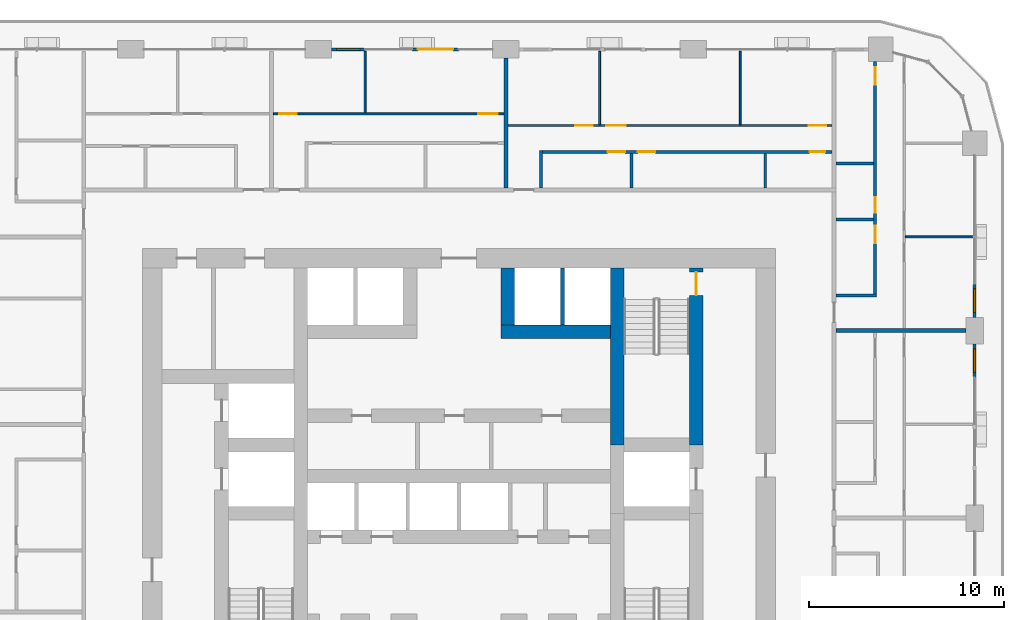
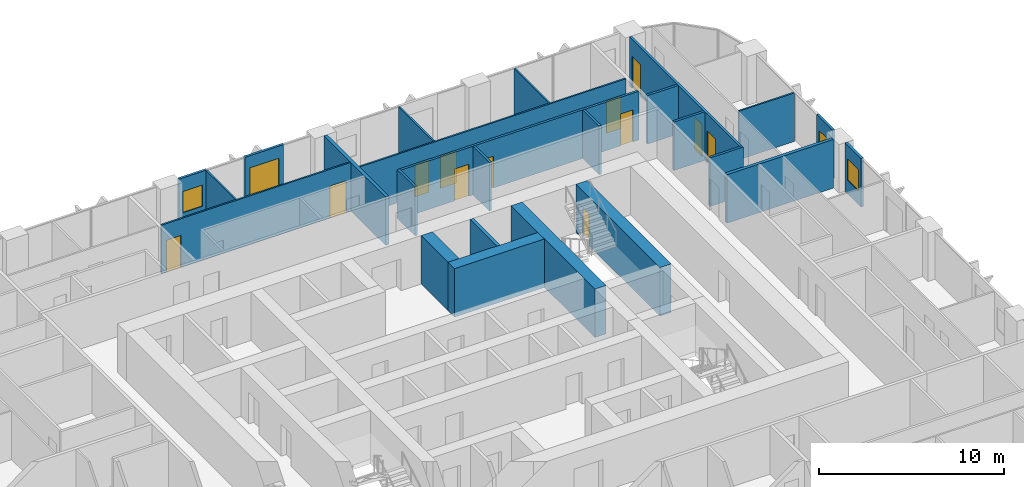
# One storey, part 14 of 21: 25 walls, 13 doors, 3 windows, 16 openings.
"""IFC4 building model written with IfcOpenShell, lengths in metres."""

from ifc_helpers import new_model, si_unit, direction, frame, frame_2d, origin, place, context, subcontext, project, spatial, rectangle, extrude, material, layer, layer_set, type_object, element, fill, save


model = new_model("IFC4")

# Units and contexts
model_context = context("Model", 3, precision=1e-05, world=origin(), true_north=direction((0.0, 1.0)))
body_context = subcontext(model_context, "Body", "Model", "MODEL_VIEW")
ifc_project = project(units=[si_unit("LENGTHUNIT", "METRE"), si_unit("AREAUNIT", "SQUARE_METRE"), si_unit("VOLUMEUNIT", "CUBIC_METRE"), si_unit("PLANEANGLEUNIT", "RADIAN"), si_unit("MASSUNIT", "GRAM", prefix="KILO")], contexts=[model_context])

# Site, building, storey
site_placement = place(None, origin())
site = spatial("IfcSite", under=ifc_project, at=site_placement, CompositionType="ELEMENT")
building_placement = place(site_placement, origin())
building = spatial("IfcBuilding", under=site, at=building_placement, Name="Madar Terraces", CompositionType="ELEMENT")
storey_placement = place(building_placement, frame((0.0, 0.0, 43.39990234375)))
storey = spatial("IfcBuildingStorey", under=building, at=storey_placement, Name="L10", CompositionType="ELEMENT", Elevation=43.39990234375)

# Wall
ifc_material_1 = material(Name="Concrete C80/95", Category="concrete")
ifc_layer_1 = layer(ifc_material_1, 0.699951171875)
ifc_layer_set_1 = layer_set([ifc_layer_1], Name="Concrete C80/95 (CIW1 RC wall 700)")
wall_type_1 = type_object("IfcWallType", Name="CIW1 RC wall 700", PredefinedType="SHEAR", material=ifc_layer_set_1)
wall_1_placement = place(storey_placement, frame((39.300048828125, 27.75, 0.0), z_axis=(0.0, 0.0, 1.0), x_axis=(0.0, 1.0, 0.0)))
element("IfcWall", 1, at=wall_1_placement, inside=storey, type_object=wall_type_1, Name="CORE SHAFT WALL", PredefinedType="SHEAR", context=body_context, shape_type="SweptSolid", body=[
    extrude(rectangle(XDim=9.050048828125, YDim=0.699951171875, at=frame_2d((4.52490234375, 0.0))), origin(), (0.0, 0.0, 1.0), 3.2001953125),
])

# Wall, opening, door
wall_2_placement = place(storey_placement, frame((43.35009765625, 27.75, 0.0), z_axis=(0.0, 0.0, 1.0), x_axis=(0.0, 1.0, 0.0)))
wall_2 = element("IfcWall", 2, at=wall_2_placement, inside=storey, type_object=wall_type_1, Name="CORE SHAFT WALL", PredefinedType="SHEAR", context=body_context, shape_type="SweptSolid", body=[
    extrude(rectangle(XDim=9.050048828125, YDim=0.699951171875, at=frame_2d((4.52490234375, 0.0))), origin(), (0.0, 0.0, 1.0), 3.2001953125),
])
opening_1_placement = place(wall_2_placement, frame((7.64990234375, 0.0, 0.0)))
opening_1 = element("IfcOpeningElement", 3, at=opening_1_placement, cuts=wall_2, Name="Opening SD1", PredefinedType="OPENING", context=body_context, shape_type="SweptSolid", body=[
    extrude(rectangle(XDim=1.199951171875, YDim=2.10009765625, at=frame_2d((0.60009765625, 1.050048828125))), frame((0.0, 0.35986328125, 0.0), z_axis=(0.0, -1.0, 0.0), x_axis=(1.0, 0.0, 0.0)), (0.0, 0.0, 1.0), 0.719970703125),
])
ifc_material_2 = material(Name="Steel door leaf", Category="steel")
door_type_1 = type_object("IfcDoorType", Name="Stair door 1200 x 2100", OperationType="NOTDEFINED", PredefinedType="DOOR", material=ifc_material_2)
door_1_placement = place(opening_1_placement, origin())
door_1 = element("IfcDoor", 4, at=door_1_placement, inside=storey, type_object=door_type_1, Name="STAIR DOOR", OperationType="SINGLE_SWING_RIGHT", OverallHeight=2.10009765625, OverallWidth=1.199951171875, PredefinedType="DOOR", context=body_context, shape_type="SweptSolid", body=[
    extrude(rectangle(XDim=1.199951171875, YDim=2.10009765625, at=frame_2d((0.60009765625, 1.050048828125))), frame((0.0, 0.02490234375, 0.0), z_axis=(0.0, -1.0, 0.0), x_axis=(1.0, 0.0, 0.0)), (0.0, 0.0, 1.0), 0.050048828125),
])
fill(opening_1, door_1)

# Walls
wall_3_placement = place(storey_placement, frame((33.35009765625, 33.550048828125, 0.0), z_axis=(0.0, 0.0, 1.0), x_axis=(1.0, 0.0, 0.0)))
element("IfcWall", 5, at=wall_3_placement, inside=storey, type_object=wall_type_1, Name="CORE SHAFT WALL", PredefinedType="SHEAR", context=body_context, shape_type="SweptSolid", body=[
    extrude(rectangle(XDim=5.599853515625, YDim=0.699951171875, at=frame_2d((2.7998046875, 0.0))), origin(), (0.0, 0.0, 1.0), 3.2001953125),
])
wall_4_placement = place(storey_placement, frame((33.699951171875, 33.89990234375, 0.0), z_axis=(0.0, 0.0, 1.0), x_axis=(0.0, 1.0, 0.0)))
element("IfcWall", 6, at=wall_4_placement, inside=storey, type_object=wall_type_1, Name="CORE SHAFT WALL", PredefinedType="SHEAR", context=body_context, shape_type="SweptSolid", body=[
    extrude(rectangle(XDim=2.900146484375, YDim=0.699951171875, at=frame_2d((1.4501953125, 0.0))), origin(), (0.0, 0.0, 1.0), 3.2001953125),
])
ifc_material_3 = material(Name="Concrete C40/50", Category="concrete")
ifc_layer_2 = layer(ifc_material_3, 0.199951171875)
ifc_layer_set_2 = layer_set([ifc_layer_2], Name="Core shaft dividing wall 200 C40/50")
wall_type_2 = type_object("IfcWallType", Name="Core shaft dividing wall 200 C40/50", PredefinedType="SOLIDWALL", material=ifc_layer_set_2)
wall_5_placement = place(storey_placement, frame((36.5, 33.89990234375, 0.0), z_axis=(0.0, 0.0, 1.0), x_axis=(0.0, 1.0, 0.0)))
element("IfcWall", 7, at=wall_5_placement, inside=storey, type_object=wall_type_2, Name="SHAFT DIVIDING WALL", PredefinedType="SOLIDWALL", context=body_context, shape_type="SweptSolid", body=[
    extrude(rectangle(XDim=2.900146484375, YDim=0.199951171875, at=frame_2d((1.4501953125, 0.0))), origin(), (0.0, 0.0, 1.0), 3.2001953125),
])

# Wall, opening, window
ifc_material_4 = material(Name="Aluminium composite panel, black, over insulated backing", Category="aluminium")
ifc_layer_3 = layer(ifc_material_4, 0.14990234375)
ifc_layer_set_3 = layer_set([ifc_layer_3], Name="Facade bay panel 150")
wall_type_3 = type_object("IfcWallType", Name="Facade bay panel 150", PredefinedType="SOLIDWALL", material=ifc_layer_set_3)
wall_6_placement = place(storey_placement, frame((57.60009765625, 31.199951171875, 0.0), z_axis=(0.0, 0.0, 1.0), x_axis=(0.0, 1.0, 0.0)))
wall_6 = element("IfcWall", 8, at=wall_6_placement, inside=storey, type_object=wall_type_3, Name="Facade bay panel", PredefinedType="SOLIDWALL", context=body_context, shape_type="SweptSolid", body=[
    extrude(rectangle(XDim=1.72509765625, YDim=0.14990234375, at=frame_2d((0.862548828125, 0.0))), origin(), (0.0, 0.0, 1.0), 3.2001953125),
])
opening_2_placement = place(wall_6_placement, frame((0.262451171875, 0.0, 0.89990234375)))
opening_2 = element("IfcOpeningElement", 9, at=opening_2_placement, cuts=wall_6, Name="Opening W1", PredefinedType="OPENING", context=body_context, shape_type="SweptSolid", body=[
    extrude(rectangle(XDim=1.199951171875, YDim=1.39990234375, at=frame_2d((0.60009765625, 0.699951171875))), frame((0.0, 0.0849609375, 0.0), z_axis=(0.0, -1.0, 0.0), x_axis=(1.0, 0.0, 0.0)), (0.0, 0.0, 1.0), 0.169921875),
])
ifc_material_5 = material(Name="Glass, clear, with black aluminium frame", Category="aluminium")
window_type = type_object("IfcWindowType", Name="Vent window 1200 x 1400", PartitioningType="SINGLE_PANEL", PredefinedType="WINDOW", material=ifc_material_5)
window_1_placement = place(opening_2_placement, origin())
window_1 = element("IfcWindow", 10, at=window_1_placement, inside=storey, type_object=window_type, Name="Operable vent window", OverallHeight=1.39990234375, OverallWidth=1.199951171875, PartitioningType="SINGLE_PANEL", PredefinedType="WINDOW", context=body_context, shape_type="SweptSolid", body=[
    extrude(rectangle(XDim=1.199951171875, YDim=1.39990234375, at=frame_2d((0.60009765625, 0.699951171875))), frame((0.0, 0.030029296875, 0.0), z_axis=(0.0, -1.0, 0.0), x_axis=(1.0, 0.0, 0.0)), (0.0, 0.0, 1.0), 0.06005859375),
])
fill(opening_2, window_1)

wall_7_placement = place(storey_placement, frame((57.60009765625, 34.27490234375, 0.0), z_axis=(0.0, 0.0, 1.0), x_axis=(0.0, 1.0, 0.0)))
wall_7 = element("IfcWall", 11, at=wall_7_placement, inside=storey, type_object=wall_type_3, Name="Facade bay panel", PredefinedType="SOLIDWALL", context=body_context, shape_type="SweptSolid", body=[
    extrude(rectangle(XDim=1.72509765625, YDim=0.14990234375, at=frame_2d((0.862548828125, 0.0))), origin(), (0.0, 0.0, 1.0), 3.2001953125),
])
opening_3_placement = place(wall_7_placement, frame((0.262451171875, 0.0, 0.89990234375)))
opening_3 = element("IfcOpeningElement", 12, at=opening_3_placement, cuts=wall_7, Name="Opening W1", PredefinedType="OPENING", context=body_context, shape_type="SweptSolid", body=[
    extrude(rectangle(XDim=1.199951171875, YDim=1.39990234375, at=frame_2d((0.60009765625, 0.699951171875))), frame((0.0, 0.0849609375, 0.0), z_axis=(0.0, -1.0, 0.0), x_axis=(1.0, 0.0, 0.0)), (0.0, 0.0, 1.0), 0.169921875),
])
window_2_placement = place(opening_3_placement, origin())
window_2 = element("IfcWindow", 13, at=window_2_placement, inside=storey, type_object=window_type, Name="Operable vent window", OverallHeight=1.39990234375, OverallWidth=1.199951171875, PartitioningType="SINGLE_PANEL", PredefinedType="WINDOW", context=body_context, shape_type="SweptSolid", body=[
    extrude(rectangle(XDim=1.199951171875, YDim=1.39990234375, at=frame_2d((0.60009765625, 0.699951171875))), frame((0.0, 0.030029296875, 0.0), z_axis=(0.0, -1.0, 0.0), x_axis=(1.0, 0.0, 0.0)), (0.0, 0.0, 1.0), 0.06005859375),
])
fill(opening_3, window_2)

# Wall, opening, door
wall_8_placement = place(storey_placement, frame((31.199951171875, 48.0, 0.0), z_axis=(0.0, 0.0, 1.0), x_axis=(-1.0, 0.0, 0.0)))
wall_8 = element("IfcWall", 14, at=wall_8_placement, inside=storey, type_object=wall_type_3, Name="Facade bay panel", PredefinedType="SOLIDWALL", context=body_context, shape_type="SweptSolid", body=[
    extrude(rectangle(XDim=2.39990234375, YDim=0.14990234375, at=frame_2d((1.199951171875, 0.0))), origin(), (0.0, 0.0, 1.0), 3.2001953125),
])
opening_4_placement = place(wall_8_placement, frame((0.300048828125, 0.0, 0.0)))
opening_4 = element("IfcOpeningElement", 15, at=opening_4_placement, cuts=wall_8, Name="Opening ED1", PredefinedType="OPENING", context=body_context, shape_type="SweptSolid", body=[
    extrude(rectangle(XDim=1.800048828125, YDim=2.39990234375, at=frame_2d((0.89990234375, 1.199951171875))), frame((0.0, 0.0849609375, 0.0), z_axis=(0.0, -1.0, 0.0), x_axis=(1.0, 0.0, 0.0)), (0.0, 0.0, 1.0), 0.169921875),
])
ifc_material_6 = material(Name="Glass, clear, with black aluminium frame", Category="aluminium")
door_type_2 = type_object("IfcDoorType", Name="Balcony and terrace sliding door 1800 x 2400", OperationType="SLIDING_TO_LEFT", PredefinedType="DOOR", material=ifc_material_6)
door_2_placement = place(opening_4_placement, origin())
door_2 = element("IfcDoor", 16, at=door_2_placement, inside=storey, type_object=door_type_2, Name="Balcony door", OperationType="SLIDING_TO_LEFT", OverallHeight=2.39990234375, OverallWidth=1.800048828125, PredefinedType="DOOR", context=body_context, shape_type="SweptSolid", body=[
    extrude(rectangle(XDim=1.800048828125, YDim=2.39990234375, at=frame_2d((0.89990234375, 1.199951171875))), frame((0.0, 0.02490234375, 0.0), z_axis=(0.0, -1.0, 0.0), x_axis=(1.0, 0.0, 0.0)), (0.0, 0.0, 1.0), 0.050048828125),
])
fill(opening_4, door_2)

# Wall, opening, window
wall_9_placement = place(storey_placement, frame((26.39990234375, 48.0, 0.0), z_axis=(0.0, 0.0, 1.0), x_axis=(-1.0, 0.0, 0.0)))
wall_9 = element("IfcWall", 17, at=wall_9_placement, inside=storey, type_object=wall_type_3, Name="Facade bay panel", PredefinedType="SOLIDWALL", context=body_context, shape_type="SweptSolid", body=[
    extrude(rectangle(XDim=1.724853515625, YDim=0.14990234375, at=frame_2d((0.8623046875, 0.0))), origin(), (0.0, 0.0, 1.0), 3.2001953125),
])
opening_5_placement = place(wall_9_placement, frame((0.262451171875, 0.0, 0.89990234375)))
opening_5 = element("IfcOpeningElement", 18, at=opening_5_placement, cuts=wall_9, Name="Opening W1", PredefinedType="OPENING", context=body_context, shape_type="SweptSolid", body=[
    extrude(rectangle(XDim=1.199951171875, YDim=1.39990234375, at=frame_2d((0.60009765625, 0.699951171875))), frame((0.0, 0.0849609375, 0.0), z_axis=(0.0, -1.0, 0.0), x_axis=(1.0, 0.0, 0.0)), (0.0, 0.0, 1.0), 0.169921875),
])
window_3_placement = place(opening_5_placement, origin())
window_3 = element("IfcWindow", 19, at=window_3_placement, inside=storey, type_object=window_type, Name="Operable vent window", OverallHeight=1.39990234375, OverallWidth=1.199951171875, PartitioningType="SINGLE_PANEL", PredefinedType="WINDOW", context=body_context, shape_type="SweptSolid", body=[
    extrude(rectangle(XDim=1.199951171875, YDim=1.39990234375, at=frame_2d((0.60009765625, 0.699951171875))), frame((0.0, 0.030029296875, 0.0), z_axis=(0.0, -1.0, 0.0), x_axis=(1.0, 0.0, 0.0)), (0.0, 0.0, 1.0), 0.06005859375),
])
fill(opening_5, window_3)

# Walls
ifc_material_7 = material(Name="Gypsum board on steel studs", Category="steel")
ifc_layer_4 = layer(ifc_material_7, 0.10009765625)
ifc_layer_set_4 = layer_set([ifc_layer_4], Name="Flat partition 100")
wall_type_4 = type_object("IfcWallType", Name="Flat partition 100", PredefinedType="PARTITIONING", material=ifc_layer_set_4)
wall_10_placement = place(storey_placement, frame((54.050048828125, 38.39990234375, 0.0), z_axis=(0.0, 0.0, 1.0), x_axis=(1.0, 0.0, 0.0)))
element("IfcWall", 20, at=wall_10_placement, inside=storey, type_object=wall_type_4, Name="Flat partition 100", PredefinedType="PARTITIONING", context=body_context, shape_type="SweptSolid", body=[
    extrude(rectangle(XDim=3.449951171875, YDim=0.10009765625, at=frame_2d((1.72509765625, 0.0))), origin(), (0.0, 0.0, 1.0), 3.2001953125),
])
for number, where, z_axis, x_axis, name in (
    (21, (38.39990234375, 44.14990234375, 0.0), (0.0, 0.0, 1.0), (0.0, 1.0, 0.0), "Flat partition 100"),
    (22, (45.60009765625, 44.14990234375, 0.0), (0.0, 0.0, 1.0), (0.0, 1.0, 0.0), "Flat partition 100"),
):
    element("IfcWall", number, at=place(storey_placement, frame(where, z_axis=z_axis, x_axis=x_axis)), inside=storey, type_object=wall_type_4, Name=name, PredefinedType="PARTITIONING", context=body_context, shape_type="SweptSolid", body=[
        extrude(rectangle(XDim=3.75, YDim=0.10009765625, at=frame_2d((1.875, 0.0))), origin(), (0.0, 0.0, 1.0), 3.2001953125),
    ])

# Wall, openings, doors
wall_11_placement = place(storey_placement, frame((33.699951171875, 44.10009765625, 0.0), z_axis=(0.0, 0.0, 1.0), x_axis=(1.0, 0.0, 0.0)))
wall_11 = element("IfcWall", 23, at=wall_11_placement, inside=storey, type_object=wall_type_4, Name="Flat partition 100", PredefinedType="PARTITIONING", context=body_context, shape_type="SweptSolid", body=[
    extrude(rectangle(XDim=16.60009765625, YDim=0.10009765625, at=frame_2d((8.300048828125, 0.0))), origin(), (0.0, 0.0, 1.0), 3.2001953125),
])
opening_6_placement = place(wall_11_placement, frame((3.449951171875, 0.0, 0.0)))
opening_6 = element("IfcOpeningElement", 24, at=opening_6_placement, cuts=wall_11, Name="Opening D2", PredefinedType="OPENING", context=body_context, shape_type="SweptSolid", body=[
    extrude(rectangle(XDim=0.89990234375, YDim=2.10009765625, at=frame_2d((0.449951171875, 1.050048828125))), frame((0.0, 0.06005859375, 0.0), z_axis=(0.0, -1.0, 0.0), x_axis=(1.0, 0.0, 0.0)), (0.0, 0.0, 1.0), 0.1201171875),
])
opening_7_placement = place(wall_11_placement, frame((5.050048828125, 0.0, 0.0)))
opening_7 = element("IfcOpeningElement", 25, at=opening_7_placement, cuts=wall_11, Name="Opening D3", PredefinedType="OPENING", context=body_context, shape_type="SweptSolid", body=[
    extrude(rectangle(XDim=1.0, YDim=2.10009765625, at=frame_2d((0.5, 1.050048828125))), frame((0.0, 0.06005859375, 0.0), z_axis=(0.0, -1.0, 0.0), x_axis=(1.0, 0.0, 0.0)), (0.0, 0.0, 1.0), 0.1201171875),
])
opening_8_placement = place(wall_11_placement, frame((15.39990234375, 0.0, 0.0)))
opening_8 = element("IfcOpeningElement", 26, at=opening_8_placement, cuts=wall_11, Name="Opening D2", PredefinedType="OPENING", context=body_context, shape_type="SweptSolid", body=[
    extrude(rectangle(XDim=0.89990234375, YDim=2.10009765625, at=frame_2d((0.449951171875, 1.050048828125))), frame((0.0, 0.06005859375, 0.0), z_axis=(0.0, -1.0, 0.0), x_axis=(1.0, 0.0, 0.0)), (0.0, 0.0, 1.0), 0.1201171875),
])
ifc_material_8 = material(Name="Timber door leaf", Category="wood")
door_type_3 = type_object("IfcDoorType", Name="Flat living room door 1000", OperationType="NOTDEFINED", PredefinedType="DOOR", material=ifc_material_8)
door_3_placement = place(opening_7_placement, origin())
door_3 = element("IfcDoor", 27, at=door_3_placement, inside=storey, type_object=door_type_3, Name="Flat living room door 1000", OperationType="SINGLE_SWING_LEFT", OverallHeight=2.10009765625, OverallWidth=1.0, PredefinedType="DOOR", context=body_context, shape_type="SweptSolid", body=[
    extrude(rectangle(XDim=1.0, YDim=2.10009765625, at=frame_2d((0.5, 1.050048828125))), frame((0.0, 0.02490234375, 0.0), z_axis=(0.0, -1.0, 0.0), x_axis=(1.0, 0.0, 0.0)), (0.0, 0.0, 1.0), 0.050048828125),
])
fill(opening_7, door_3)
ifc_material_9 = material(Name="Timber door leaf", Category="wood")
door_type_4 = type_object("IfcDoorType", Name="Flat room door 900", OperationType="NOTDEFINED", PredefinedType="DOOR", material=ifc_material_9)
door_4_placement = place(opening_6_placement, origin())
door_4 = element("IfcDoor", 28, at=door_4_placement, inside=storey, type_object=door_type_4, Name="Flat room door 900", OperationType="SINGLE_SWING_RIGHT", OverallHeight=2.10009765625, OverallWidth=0.89990234375, PredefinedType="DOOR", context=body_context, shape_type="SweptSolid", body=[
    extrude(rectangle(XDim=0.89990234375, YDim=2.10009765625, at=frame_2d((0.449951171875, 1.050048828125))), frame((0.0, 0.02490234375, 0.0), z_axis=(0.0, -1.0, 0.0), x_axis=(1.0, 0.0, 0.0)), (0.0, 0.0, 1.0), 0.050048828125),
])
fill(opening_6, door_4)
door_5_placement = place(opening_8_placement, origin())
door_5 = element("IfcDoor", 29, at=door_5_placement, inside=storey, type_object=door_type_4, Name="Flat room door 900", OperationType="SINGLE_SWING_RIGHT", OverallHeight=2.10009765625, OverallWidth=0.89990234375, PredefinedType="DOOR", context=body_context, shape_type="SweptSolid", body=[
    extrude(rectangle(XDim=0.89990234375, YDim=2.10009765625, at=frame_2d((0.449951171875, 1.050048828125))), frame((0.0, 0.02490234375, 0.0), z_axis=(0.0, -1.0, 0.0), x_axis=(1.0, 0.0, 0.0)), (0.0, 0.0, 1.0), 0.050048828125),
])
fill(opening_8, door_5)

# Wall
wall_12_placement = place(storey_placement, frame((26.39990234375, 44.75, 0.0), z_axis=(0.0, 0.0, 1.0), x_axis=(0.0, 1.0, 0.0)))
element("IfcWall", 30, at=wall_12_placement, inside=storey, type_object=wall_type_4, Name="Flat partition 100", PredefinedType="PARTITIONING", context=body_context, shape_type="SweptSolid", body=[
    extrude(rectangle(XDim=3.14990234375, YDim=0.10009765625, at=frame_2d((1.574951171875, 0.0))), origin(), (0.0, 0.0, 1.0), 3.2001953125),
])

# Wall, openings, doors
wall_13_placement = place(storey_placement, frame((21.699951171875, 44.699951171875, 0.0), z_axis=(0.0, 0.0, 1.0), x_axis=(1.0, 0.0, 0.0)))
wall_13 = element("IfcWall", 31, at=wall_13_placement, inside=storey, type_object=wall_type_4, Name="Flat partition 100", PredefinedType="PARTITIONING", context=body_context, shape_type="SweptSolid", body=[
    extrude(rectangle(XDim=11.800048828125, YDim=0.10009765625, at=frame_2d((5.89990234375, 0.0))), origin(), (0.0, 0.0, 1.0), 3.2001953125),
])
opening_9_placement = place(wall_13_placement, frame((0.300048828125, 0.0, 0.0)))
opening_9 = element("IfcOpeningElement", 32, at=opening_9_placement, cuts=wall_13, Name="Opening D2", PredefinedType="OPENING", context=body_context, shape_type="SweptSolid", body=[
    extrude(rectangle(XDim=0.89990234375, YDim=2.10009765625, at=frame_2d((0.449951171875, 1.050048828125))), frame((0.0, 0.06005859375, 0.0), z_axis=(0.0, -1.0, 0.0), x_axis=(1.0, 0.0, 0.0)), (0.0, 0.0, 1.0), 0.1201171875),
])
opening_10_placement = place(wall_13_placement, frame((10.5, 0.0, 0.0)))
opening_10 = element("IfcOpeningElement", 33, at=opening_10_placement, cuts=wall_13, Name="Opening D3", PredefinedType="OPENING", context=body_context, shape_type="SweptSolid", body=[
    extrude(rectangle(XDim=1.0, YDim=2.10009765625, at=frame_2d((0.5, 1.050048828125))), frame((0.0, 0.06005859375, 0.0), z_axis=(0.0, -1.0, 0.0), x_axis=(1.0, 0.0, 0.0)), (0.0, 0.0, 1.0), 0.1201171875),
])
door_6_placement = place(opening_10_placement, origin())
door_6 = element("IfcDoor", 34, at=door_6_placement, inside=storey, type_object=door_type_3, Name="Flat living room door 1000", OperationType="SINGLE_SWING_RIGHT", OverallHeight=2.10009765625, OverallWidth=1.0, PredefinedType="DOOR", context=body_context, shape_type="SweptSolid", body=[
    extrude(rectangle(XDim=1.0, YDim=2.10009765625, at=frame_2d((0.5, 1.050048828125))), frame((0.0, 0.02490234375, 0.0), z_axis=(0.0, -1.0, 0.0), x_axis=(1.0, 0.0, 0.0)), (0.0, 0.0, 1.0), 0.050048828125),
])
fill(opening_10, door_6)
door_7_placement = place(opening_9_placement, origin())
door_7 = element("IfcDoor", 35, at=door_7_placement, inside=storey, type_object=door_type_4, Name="Flat room door 900", OperationType="SINGLE_SWING_LEFT", OverallHeight=2.10009765625, OverallWidth=0.89990234375, PredefinedType="DOOR", context=body_context, shape_type="SweptSolid", body=[
    extrude(rectangle(XDim=0.89990234375, YDim=2.10009765625, at=frame_2d((0.449951171875, 1.050048828125))), frame((0.0, 0.02490234375, 0.0), z_axis=(0.0, -1.0, 0.0), x_axis=(1.0, 0.0, 0.0)), (0.0, 0.0, 1.0), 0.050048828125),
])
fill(opening_9, door_7)

# Walls
ifc_material_10 = material(Name="Lightweight blockwork", Category="masonry")
ifc_layer_5 = layer(ifc_material_10, 0.199951171875)
ifc_layer_set_5 = layer_set([ifc_layer_5], Name="Flat party and entrance wall 200")
wall_type_5 = type_object("IfcWallType", Name="Flat party and entrance wall 200", PredefinedType="PARTITIONING", material=ifc_layer_set_5)
wall_14_placement = place(storey_placement, frame((50.5, 33.60009765625, 0.0), z_axis=(0.0, 0.0, 1.0), x_axis=(1.0, 0.0, 0.0)))
element("IfcWall", 36, at=wall_14_placement, inside=storey, type_object=wall_type_5, Name="Flat party and entrance wall 200", PredefinedType="PARTITIONING", context=body_context, shape_type="SweptSolid", body=[
    extrude(rectangle(XDim=6.64990234375, YDim=0.199951171875, at=frame_2d((3.324951171875, 0.0))), origin(), (0.0, 0.0, 1.0), 3.2001953125),
])
wall_15_placement = place(storey_placement, frame((33.60009765625, 47.550048828125, 0.0), z_axis=(0.0, 0.0, 1.0), x_axis=(0.0, -1.0, 0.0)))
element("IfcWall", 37, at=wall_15_placement, inside=storey, type_object=wall_type_5, Name="Flat party and entrance wall 200", PredefinedType="PARTITIONING", context=body_context, shape_type="SweptSolid", body=[
    extrude(rectangle(XDim=6.650146484375, YDim=0.199951171875, at=frame_2d((3.3251953125, 0.0))), origin(), (0.0, 0.0, 1.0), 3.2001953125),
])
ifc_material_11 = material(Name="Lightweight blockwork", Category="masonry")
ifc_layer_6 = layer(ifc_material_11, 0.14990234375)
ifc_layer_set_6 = layer_set([ifc_layer_6], Name="Flat wet-room partition 150")
wall_type_6 = type_object("IfcWallType", Name="Flat wet-room partition 150", PredefinedType="PARTITIONING", material=ifc_layer_set_6)
for number, where, z_axis, x_axis, name in (
    (38, (50.5, 39.298095703125, 0.0), (0.0, 0.0, 1.0), (1.0, 0.0, 0.0), "Flat wet-room partition 150"),
    (39, (50.5, 42.165283203125, 0.0), (0.0, 0.0, 1.0), (1.0, 0.0, 0.0), "Flat wet-room partition 150"),
):
    element("IfcWall", number, at=place(storey_placement, frame(where, z_axis=z_axis, x_axis=x_axis)), inside=storey, type_object=wall_type_6, Name=name, PredefinedType="PARTITIONING", context=body_context, shape_type="SweptSolid", body=[
        extrude(rectangle(XDim=1.925048828125, YDim=0.14990234375, at=frame_2d((0.96240234375, 0.0))), origin(), (0.0, 0.0, 1.0), 3.2001953125),
    ])
wall_16_placement = place(storey_placement, frame((50.5, 35.39990234375, 0.0), z_axis=(0.0, 0.0, 1.0), x_axis=(1.0, 0.0, 0.0)))
element("IfcWall", 40, at=wall_16_placement, inside=storey, type_object=wall_type_6, Name="Flat wet-room partition 150", PredefinedType="PARTITIONING", context=body_context, shape_type="SweptSolid", body=[
    extrude(rectangle(XDim=2.074951171875, YDim=0.14990234375, at=frame_2d((1.03759765625, 0.0))), origin(), (0.0, 0.0, 1.0), 3.2001953125),
])

# Wall, openings, doors
wall_17_placement = place(storey_placement, frame((52.5, 35.47509765625, 0.0), z_axis=(0.0, 0.0, 1.0), x_axis=(0.0, 1.0, 0.0)))
wall_17 = element("IfcWall", 41, at=wall_17_placement, inside=storey, type_object=wall_type_6, Name="Flat wet-room partition 150", PredefinedType="PARTITIONING", context=body_context, shape_type="SweptSolid", body=[
    extrude(rectangle(XDim=11.89990234375, YDim=0.14990234375, at=frame_2d((5.949951171875, 0.0))), origin(), (0.0, 0.0, 1.0), 3.2001953125),
])
opening_11_placement = place(wall_17_placement, frame((2.59814453125, 0.0, 0.0)))
opening_11 = element("IfcOpeningElement", 42, at=opening_11_placement, cuts=wall_17, Name="Opening D5", PredefinedType="OPENING", context=body_context, shape_type="SweptSolid", body=[
    extrude(rectangle(XDim=0.89990234375, YDim=2.10009765625, at=frame_2d((0.449951171875, 1.050048828125))), frame((0.0, 0.0849609375, 0.0), z_axis=(0.0, -1.0, 0.0), x_axis=(1.0, 0.0, 0.0)), (0.0, 0.0, 1.0), 0.169921875),
])
opening_12_placement = place(wall_17_placement, frame((4.148193359375, 0.0, 0.0)))
opening_12 = element("IfcOpeningElement", 43, at=opening_12_placement, cuts=wall_17, Name="Opening D4", PredefinedType="OPENING", context=body_context, shape_type="SweptSolid", body=[
    extrude(rectangle(XDim=0.800048828125, YDim=2.10009765625, at=frame_2d((0.39990234375, 1.050048828125))), frame((0.0, 0.0849609375, 0.0), z_axis=(0.0, -1.0, 0.0), x_axis=(1.0, 0.0, 0.0)), (0.0, 0.0, 1.0), 0.169921875),
])
opening_13_placement = place(wall_17_placement, frame((10.699951171875, 0.0, 0.0)))
opening_13 = element("IfcOpeningElement", 44, at=opening_13_placement, cuts=wall_17, Name="Opening D2", PredefinedType="OPENING", context=body_context, shape_type="SweptSolid", body=[
    extrude(rectangle(XDim=0.89990234375, YDim=2.10009765625, at=frame_2d((0.449951171875, 1.050048828125))), frame((0.0, 0.0849609375, 0.0), z_axis=(0.0, -1.0, 0.0), x_axis=(1.0, 0.0, 0.0)), (0.0, 0.0, 1.0), 0.169921875),
])
ifc_material_12 = material(Name="Timber door leaf", Category="wood")
door_type_5 = type_object("IfcDoorType", Name="Flat accessible bathroom door 900", OperationType="NOTDEFINED", PredefinedType="DOOR", material=ifc_material_12)
door_8_placement = place(opening_11_placement, origin())
door_8 = element("IfcDoor", 45, at=door_8_placement, inside=storey, type_object=door_type_5, Name="Flat accessible bathroom door 900", OperationType="SINGLE_SWING_RIGHT", OverallHeight=2.10009765625, OverallWidth=0.89990234375, PredefinedType="DOOR", context=body_context, shape_type="SweptSolid", body=[
    extrude(rectangle(XDim=0.89990234375, YDim=2.10009765625, at=frame_2d((0.449951171875, 1.050048828125))), frame((0.0, 0.02490234375, 0.0), z_axis=(0.0, -1.0, 0.0), x_axis=(1.0, 0.0, 0.0)), (0.0, 0.0, 1.0), 0.050048828125),
])
fill(opening_11, door_8)
ifc_material_13 = material(Name="Timber door leaf", Category="wood")
door_type_6 = type_object("IfcDoorType", Name="Flat bathroom door 800", OperationType="NOTDEFINED", PredefinedType="DOOR", material=ifc_material_13)
door_9_placement = place(opening_12_placement, origin())
door_9 = element("IfcDoor", 46, at=door_9_placement, inside=storey, type_object=door_type_6, Name="Flat bathroom door 800", OperationType="SINGLE_SWING_LEFT", OverallHeight=2.10009765625, OverallWidth=0.800048828125, PredefinedType="DOOR", context=body_context, shape_type="SweptSolid", body=[
    extrude(rectangle(XDim=0.800048828125, YDim=2.10009765625, at=frame_2d((0.39990234375, 1.050048828125))), frame((0.0, 0.02490234375, 0.0), z_axis=(0.0, -1.0, 0.0), x_axis=(1.0, 0.0, 0.0)), (0.0, 0.0, 1.0), 0.050048828125),
])
fill(opening_12, door_9)
door_10_placement = place(opening_13_placement, origin())
door_10 = element("IfcDoor", 47, at=door_10_placement, inside=storey, type_object=door_type_4, Name="Flat room door 900", OperationType="SINGLE_SWING_RIGHT", OverallHeight=2.10009765625, OverallWidth=0.89990234375, PredefinedType="DOOR", context=body_context, shape_type="SweptSolid", body=[
    extrude(rectangle(XDim=0.89990234375, YDim=2.10009765625, at=frame_2d((0.449951171875, 1.050048828125))), frame((0.0, 0.02490234375, 0.0), z_axis=(0.0, -1.0, 0.0), x_axis=(1.0, 0.0, 0.0)), (0.0, 0.0, 1.0), 0.050048828125),
])
fill(opening_13, door_10)

# Walls
for number, where, z_axis, x_axis, name in (
    (48, (40.03662109375, 40.89990234375, 0.0), (0.0, 0.0, 1.0), (0.0, 1.0, 0.0), "Flat wet-room partition 150"),
    (49, (46.87890625, 40.89990234375, 0.0), (0.0, 0.0, 1.0), (0.0, 1.0, 0.0), "Flat wet-room partition 150"),
):
    element("IfcWall", number, at=place(storey_placement, frame(where, z_axis=z_axis, x_axis=x_axis)), inside=storey, type_object=wall_type_6, Name=name, PredefinedType="PARTITIONING", context=body_context, shape_type="SweptSolid", body=[
        extrude(rectangle(XDim=1.775146484375, YDim=0.14990234375, at=frame_2d((0.8876953125, 0.0))), origin(), (0.0, 0.0, 1.0), 3.2001953125),
    ])
wall_18_placement = place(storey_placement, frame((35.39990234375, 40.89990234375, 0.0), z_axis=(0.0, 0.0, 1.0), x_axis=(0.0, 1.0, 0.0)))
element("IfcWall", 50, at=wall_18_placement, inside=storey, type_object=wall_type_6, Name="Flat wet-room partition 150", PredefinedType="PARTITIONING", context=body_context, shape_type="SweptSolid", body=[
    extrude(rectangle(XDim=1.925048828125, YDim=0.14990234375, at=frame_2d((0.96240234375, 0.0))), origin(), (0.0, 0.0, 1.0), 3.2001953125),
])

# Wall, openings, doors
wall_19_placement = place(storey_placement, frame((50.300048828125, 42.75, 0.0), z_axis=(0.0, 0.0, 1.0), x_axis=(-1.0, 0.0, 0.0)))
wall_19 = element("IfcWall", 51, at=wall_19_placement, inside=storey, type_object=wall_type_6, Name="Flat wet-room partition 150", PredefinedType="PARTITIONING", context=body_context, shape_type="SweptSolid", body=[
    extrude(rectangle(XDim=14.824951171875, YDim=0.14990234375, at=frame_2d((7.41259765625, 0.0))), origin(), (0.0, 0.0, 1.0), 3.2001953125),
])
opening_14_placement = place(wall_19_placement, frame((10.58837890625, 0.0, 0.0)))
opening_14 = element("IfcOpeningElement", 52, at=opening_14_placement, cuts=wall_19, Name="Opening D5", PredefinedType="OPENING", context=body_context, shape_type="SweptSolid", body=[
    extrude(rectangle(XDim=0.89990234375, YDim=2.10009765625, at=frame_2d((0.449951171875, 1.050048828125))), frame((0.0, 0.0849609375, 0.0), z_axis=(0.0, -1.0, 0.0), x_axis=(1.0, 0.0, 0.0)), (0.0, 0.0, 1.0), 0.169921875),
])
opening_15_placement = place(wall_19_placement, frame((9.03857421875, 0.0, 0.0)))
opening_15 = element("IfcOpeningElement", 53, at=opening_15_placement, cuts=wall_19, Name="Opening D2", PredefinedType="OPENING", context=body_context, shape_type="SweptSolid", body=[
    extrude(rectangle(XDim=0.89990234375, YDim=2.10009765625, at=frame_2d((0.449951171875, 1.050048828125))), frame((0.0, 0.0849609375, 0.0), z_axis=(0.0, -1.0, 0.0), x_axis=(1.0, 0.0, 0.0)), (0.0, 0.0, 1.0), 0.169921875),
])
opening_16_placement = place(wall_19_placement, frame((0.35009765625, 0.0, 0.0)))
opening_16 = element("IfcOpeningElement", 54, at=opening_16_placement, cuts=wall_19, Name="Opening D4", PredefinedType="OPENING", context=body_context, shape_type="SweptSolid", body=[
    extrude(rectangle(XDim=0.800048828125, YDim=2.10009765625, at=frame_2d((0.39990234375, 1.050048828125))), frame((0.0, 0.0849609375, 0.0), z_axis=(0.0, -1.0, 0.0), x_axis=(1.0, 0.0, 0.0)), (0.0, 0.0, 1.0), 0.169921875),
])
door_11_placement = place(opening_14_placement, origin())
door_11 = element("IfcDoor", 55, at=door_11_placement, inside=storey, type_object=door_type_5, Name="Flat accessible bathroom door 900", OperationType="SINGLE_SWING_LEFT", OverallHeight=2.10009765625, OverallWidth=0.89990234375, PredefinedType="DOOR", context=body_context, shape_type="SweptSolid", body=[
    extrude(rectangle(XDim=0.89990234375, YDim=2.10009765625, at=frame_2d((0.449951171875, 1.050048828125))), frame((0.0, 0.02490234375, 0.0), z_axis=(0.0, -1.0, 0.0), x_axis=(1.0, 0.0, 0.0)), (0.0, 0.0, 1.0), 0.050048828125),
])
fill(opening_14, door_11)
door_12_placement = place(opening_16_placement, origin())
door_12 = element("IfcDoor", 56, at=door_12_placement, inside=storey, type_object=door_type_6, Name="Flat bathroom door 800", OperationType="SINGLE_SWING_LEFT", OverallHeight=2.10009765625, OverallWidth=0.800048828125, PredefinedType="DOOR", context=body_context, shape_type="SweptSolid", body=[
    extrude(rectangle(XDim=0.800048828125, YDim=2.10009765625, at=frame_2d((0.39990234375, 1.050048828125))), frame((0.0, 0.02490234375, 0.0), z_axis=(0.0, -1.0, 0.0), x_axis=(1.0, 0.0, 0.0)), (0.0, 0.0, 1.0), 0.050048828125),
])
fill(opening_16, door_12)
door_13_placement = place(opening_15_placement, origin())
door_13 = element("IfcDoor", 57, at=door_13_placement, inside=storey, type_object=door_type_4, Name="Flat room door 900", OperationType="SINGLE_SWING_RIGHT", OverallHeight=2.10009765625, OverallWidth=0.89990234375, PredefinedType="DOOR", context=body_context, shape_type="SweptSolid", body=[
    extrude(rectangle(XDim=0.89990234375, YDim=2.10009765625, at=frame_2d((0.449951171875, 1.050048828125))), frame((0.0, 0.02490234375, 0.0), z_axis=(0.0, -1.0, 0.0), x_axis=(1.0, 0.0, 0.0)), (0.0, 0.0, 1.0), 0.050048828125),
])
fill(opening_15, door_13)

save(model, "model.ifc")
